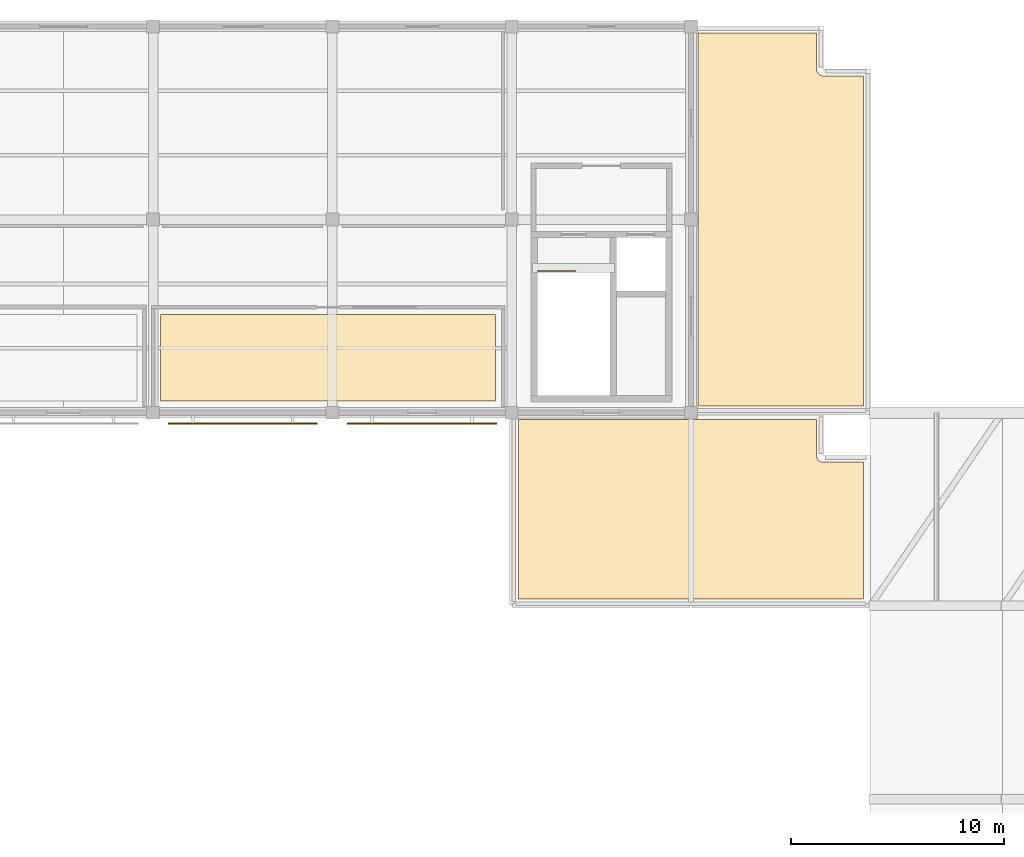
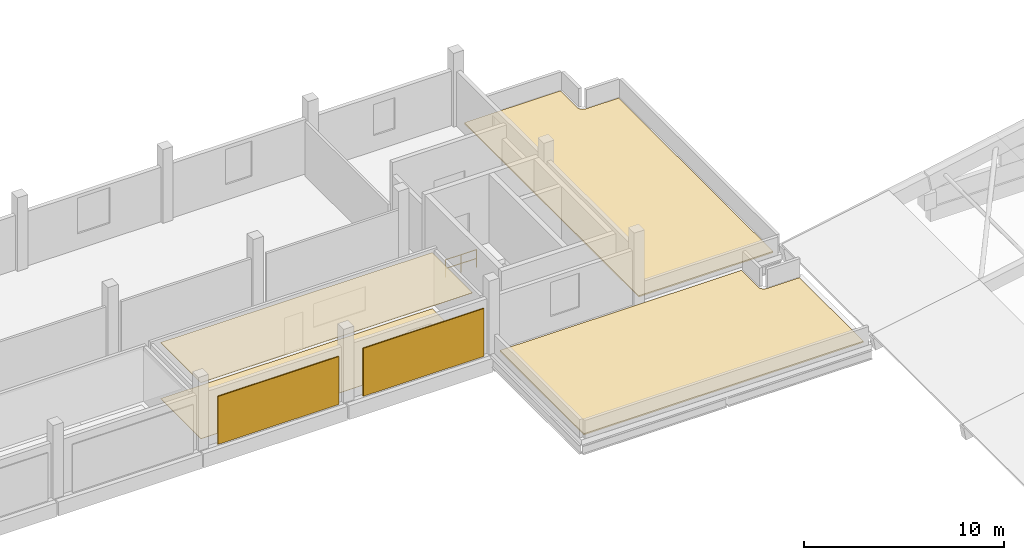
# One storey, part 32 of 34: 4 coverings, 2 shading devices, 1 railing.
"""IFC4 building model written with IfcOpenShell, lengths in metres."""

from ifc_helpers import new_model, si_unit, direction, frame, origin, origin_2d, place, context, subcontext, project, spatial, polyline, rectangle, circle, outline, extrude, material, layer, layer_set, type_object, element, save


model = new_model("IFC4")

# Units and contexts
model_context = context("Model", 3, precision=1e-05, world=origin(), true_north=direction((0.0, 1.0)))
body_context = subcontext(model_context, "Body", "Model", "MODEL_VIEW")
ifc_project = project(units=[si_unit("LENGTHUNIT", "METRE"), si_unit("AREAUNIT", "SQUARE_METRE"), si_unit("VOLUMEUNIT", "CUBIC_METRE"), si_unit("PLANEANGLEUNIT", "RADIAN"), si_unit("MASSUNIT", "GRAM", prefix="KILO")], contexts=[model_context])

# Site, building, storey
site_placement = place(None, origin())
site = spatial("IfcSite", under=ifc_project, at=site_placement, CompositionType="ELEMENT")
building_placement = place(site_placement, origin())
building = spatial("IfcBuilding", under=site, at=building_placement, Name="Khurvash Pelagic Aquarium", CompositionType="ELEMENT")
storey_placement = place(building_placement, frame((0.0, 0.0, 15.60009765625)))
storey = spatial("IfcBuildingStorey", under=building, at=storey_placement, Name="L03", CompositionType="ELEMENT", Elevation=15.60009765625)

# Coverings
ifc_material_1 = material(Name="Moisture-resistant acoustic mineral-fibre ceiling", Category="finish")
ifc_layer_1 = layer(ifc_material_1, 0.02490234375)
ifc_layer_set_1 = layer_set([ifc_layer_1], Name="Moisture-resistant acoustic mineral-fibre ceiling")
covering_type_1 = type_object("IfcCoveringType", Name="CV-CLG", PredefinedType="CEILING", material=ifc_layer_set_1)
covering_1_placement = place(storey_placement, frame((0.0, 0.0, 3.4248046875)))
element("IfcCovering", 1, at=covering_1_placement, inside=storey, type_object=covering_type_1, Name="L03 Cryopreservation and Media Prep Room Suspended Acoustic Ceiling", PredefinedType="CEILING", context=body_context, shape_type="SweptSolid", body=[
    extrude(outline(polyline([(108.449951171875, 84.60009765625), (108.449951171875, 88.64990234375), (92.75, 88.64990234375), (92.75, 84.60009765625), (108.449951171875, 84.60009765625)])), origin(), (0.0, 0.0, 1.0), 0.025146484375),
])
ifc_material_2 = material(Name="Slip-resistant terrazzo and epoxy resin flooring", Category="finish")
ifc_layer_2 = layer(ifc_material_2, 0.02001953125)
ifc_layer_set_2 = layer_set([ifc_layer_2], Name="Slip-resistant terrazzo and epoxy resin flooring")
covering_type_2 = type_object("IfcCoveringType", Name="CV-FLR", PredefinedType="FLOORING", material=ifc_layer_set_2)
covering_2_placement = place(storey_placement, origin())
element("IfcCovering", 2, at=covering_2_placement, inside=storey, type_object=covering_type_2, Name="L03 Cryopreservation and Media Prep Room Terrazzo Floor Finish", PredefinedType="FLOORING", context=body_context, shape_type="SweptSolid", body=[
    extrude(outline(polyline([(108.449951171875, 84.60009765625), (108.449951171875, 88.64990234375), (92.75, 88.64990234375), (92.75, 84.60009765625), (108.449951171875, 84.60009765625)])), origin(), (0.0, 0.0, 1.0), 0.02001953125),
])
ifc_material_3 = material(Name="TPO waterproof membrane and XPS rigid insulation", Category="insulation")
ifc_layer_3 = layer(ifc_material_3, 0.080078125)
ifc_layer_set_3 = layer_set([ifc_layer_3], Name="TPO waterproof membrane and XPS rigid insulation")
covering_type_3 = type_object("IfcCoveringType", Name="CV-RF01", PredefinedType="ROOFING", material=ifc_layer_set_3)
covering_3_placement = place(storey_placement, origin())
element("IfcCovering", 3, at=covering_3_placement, inside=storey, type_object=covering_type_3, Name="L03 Insulated TPO Roof Membrane SLB-ROOF-L03-2-1", PredefinedType="ROOFING", context=body_context, shape_type="SweptSolid", body=[
    extrude(outline(polyline([(125.679931640625, 75.320068359375), (109.52001953125, 75.320068359375), (109.52001953125, 83.72998046875), (123.47998046875, 83.72998046875), (123.47998046875, 82.050048828125), (123.48193359375, 82.01904296875), (123.486083984375, 81.988037109375), (123.493896484375, 81.95703125), (123.50390625, 81.927978515625), (123.51806640625, 81.89892578125), (123.533935546875, 81.8720703125), (123.552978515625, 81.846923828125), (123.573974609375, 81.823974609375), (123.596923828125, 81.802978515625), (123.6220703125, 81.783935546875), (123.64892578125, 81.76806640625), (123.677978515625, 81.75390625), (123.70703125, 81.743896484375), (123.738037109375, 81.736083984375), (123.76904296875, 81.73193359375), (123.800048828125, 81.72998046875), (125.679931640625, 81.72998046875), (125.679931640625, 75.320068359375)])), origin(), (0.0, 0.0, 1.0), 0.079833984375),
])
covering_4_placement = place(storey_placement, origin())
element("IfcCovering", 4, at=covering_4_placement, inside=storey, type_object=covering_type_3, Name="L03 Insulated TPO Roof Membrane SLB-ROOF-L03-3-1", PredefinedType="ROOFING", context=body_context, shape_type="SweptSolid", body=[
    extrude(outline(polyline([(125.679931640625, 84.3701171875), (117.919921875, 84.3701171875), (117.919921875, 101.830078125), (123.47998046875, 101.830078125), (123.47998046875, 100.14990234375), (123.48193359375, 100.118896484375), (123.486083984375, 100.087890625), (123.493896484375, 100.056884765625), (123.50390625, 100.028076171875), (123.51806640625, 99.9990234375), (123.533935546875, 99.971923828125), (123.552978515625, 99.947021484375), (123.573974609375, 99.924072265625), (123.596923828125, 99.903076171875), (123.6220703125, 99.884033203125), (123.64892578125, 99.867919921875), (123.677978515625, 99.85400390625), (123.70703125, 99.843994140625), (123.738037109375, 99.8359375), (123.76904296875, 99.83203125), (123.800048828125, 99.830078125), (125.679931640625, 99.830078125), (125.679931640625, 84.3701171875)])), origin(), (0.0, 0.0, 1.0), 0.079833984375),
])

# Railing
ifc_material_4 = material(Name="Powder-coated galvanised steel S355J2", Category="steel")
railing_type = type_object("IfcRailingType", Name="GR-01", PredefinedType="GUARDRAIL", material=ifc_material_4)
railing_placement = place(storey_placement, frame((110.39990234375, 90.699951171875, 0.0)))
element("IfcRailing", 5, at=railing_placement, inside=storey, type_object=railing_type, Name="L03 ST-06 top well guard 1", PredefinedType="GUARDRAIL", context=body_context, shape_type="SweptSolid", body=[
    extrude(circle(Radius=0.02392578125, at=origin_2d()), frame((0.0, 0.0, 1.076171875), z_axis=(1.0, 0.0, 0.0), x_axis=(0.0, 1.0, 0.0)), (0.0, 0.0, 1.0), 1.800048828125),
    extrude(circle(Radius=0.02392578125, at=origin_2d()), frame((0.0, 0.0, 0.5380859375), z_axis=(1.0, 0.0, 0.0), x_axis=(0.0, 1.0, 0.0)), (0.0, 0.0, 1.0), 1.800048828125),
    extrude(circle(Radius=0.02099609375, at=origin_2d()), origin(), (0.0, 0.0, 1.0), 1.052001953125),
    extrude(circle(Radius=0.02099609375, at=origin_2d()), frame((0.89990234375, 0.0, 0.0)), (0.0, 0.0, 1.0), 1.052001953125),
    extrude(circle(Radius=0.02099609375, at=origin_2d()), frame((1.800048828125, 0.0, 0.0)), (0.0, 0.0, 1.0), 1.052001953125),
])

# Shading devices
ifc_material_5 = material(Name="Perforated anodised aluminium AW-5005", Category="aluminium")
ifc_layer_4 = layer(ifc_material_5, 0.06005859375)
ifc_layer_set_4 = layer_set([ifc_layer_4], Name="Perforated anodised aluminium AW-5005")
shading_device_type = type_object("IfcShadingDeviceType", Name="SH-JAL", PredefinedType="JALOUSIE", material=ifc_layer_set_4)
for number, where, z_axis, x_axis, name in (
    (6, (96.60009765625, 83.550048828125, 0.19970703125), (0.0, 0.0, 1.0), (1.0, 0.0, 0.0), "L03 Perforated Aluminium Jali Screen SH-JAL 0053"),
    (7, (105.0, 83.550048828125, 0.19970703125), (0.0, 0.0, 1.0), (1.0, 0.0, 0.0), "L03 Perforated Aluminium Jali Screen SH-JAL 0054"),
):
    element("IfcShadingDevice", number, at=place(storey_placement, frame(where, z_axis=z_axis, x_axis=x_axis)), inside=storey, type_object=shading_device_type, Name=name, PredefinedType="JALOUSIE", context=body_context, shape_type="SweptSolid", body=[
        extrude(rectangle(XDim=6.989990234375, YDim=0.06005859375, at=origin_2d()), origin(), (0.0, 0.0, 1.0), 2.929931640625),
    ])

save(model, "model.ifc")
